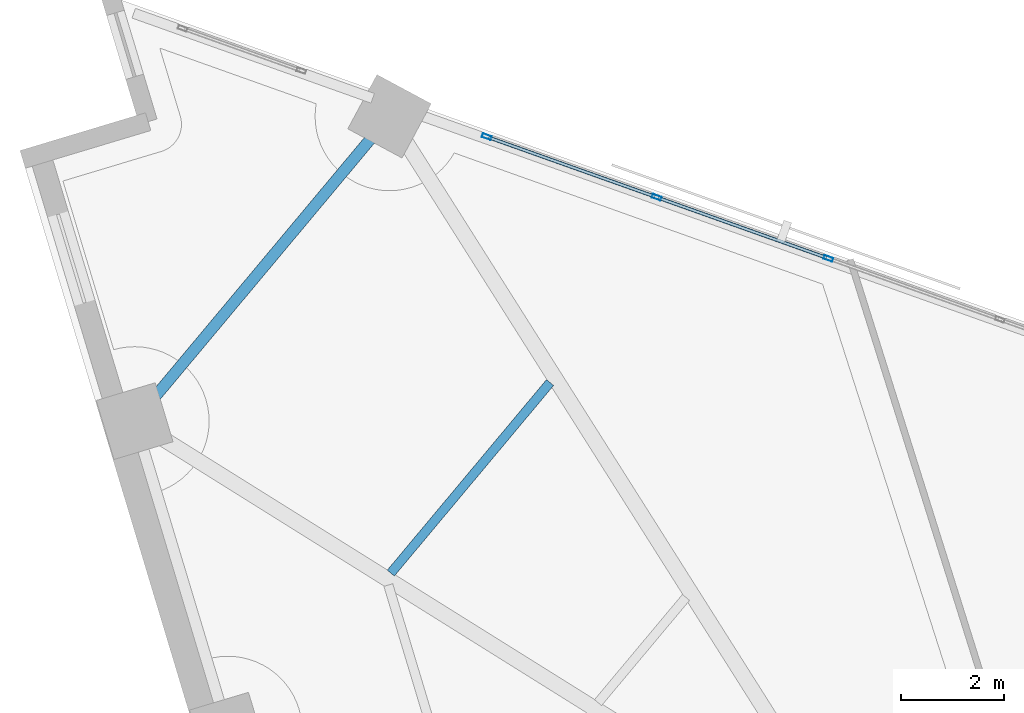
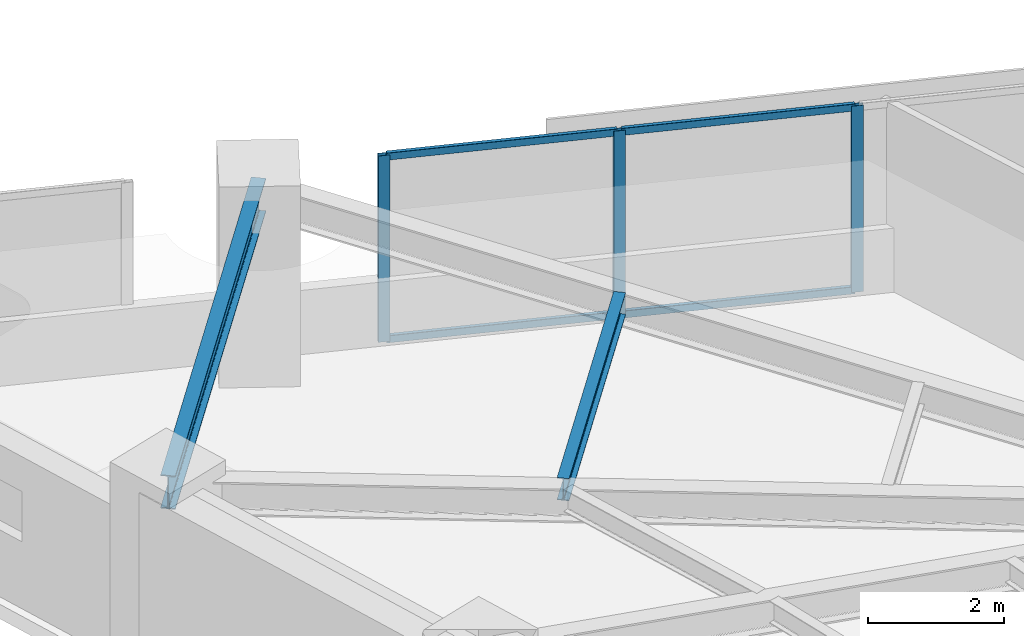
# One storey, part 6 of 16: 7 members, 2 beams, 1 element without a shape of its own.
"""IFC4 building model written with IfcOpenShell, lengths in metres."""

from ifc_helpers import new_model, si_unit, direction, frame, origin, origin_2d, place, context, subcontext, project, spatial, hollow_rectangle, i_section, extrude, material, material_profile, profile_set, type_object, element, aggregate, save


model = new_model("IFC4")

# Units and contexts
model_context = context("Model", 3, precision=1e-05, world=origin(), true_north=direction((0.0, 1.0)))
body_context = subcontext(model_context, "Body", "Model", "MODEL_VIEW")
ifc_project = project(units=[si_unit("LENGTHUNIT", "METRE"), si_unit("AREAUNIT", "SQUARE_METRE"), si_unit("VOLUMEUNIT", "CUBIC_METRE"), si_unit("PLANEANGLEUNIT", "RADIAN"), si_unit("MASSUNIT", "GRAM", prefix="KILO")], contexts=[model_context])

# Site, building, storey
site_placement = place(None, origin())
site = spatial("IfcSite", under=ifc_project, at=site_placement, CompositionType="ELEMENT")
building_placement = place(site_placement, origin())
building = spatial("IfcBuilding", under=site, at=building_placement, Name="Narakoshi Arena Tower", CompositionType="ELEMENT")
storey_placement = place(building_placement, frame((0.0, 0.0, 146.699951171875)))
storey = spatial("IfcBuildingStorey", under=building, at=storey_placement, Name="L39", CompositionType="ELEMENT", Elevation=146.699951171875)

# Beams
ifc_material_1 = material(Name="Structural steel S355J2", Category="steel")
ifc_material_profile_1 = material_profile(ifc_material_1, i_section(OverallWidth=0.219970703125, OverallDepth=0.60009765625, WebThickness=0.011962890625, FlangeThickness=0.01904296875, FilletRadius=0.02392578125, at=origin_2d()), Name="IPE600")
ifc_profile_set_1 = profile_set([ifc_material_profile_1], Name="Structural steel S355J2")
beam_type_1 = type_object("IfcBeamType", Name="BM-EDGE-600", PredefinedType="BEAM", material=ifc_profile_set_1)
beam_1_placement = place(storey_placement, frame((62.545166015625, 71.4501953125, 3.0400390625), z_axis=(-0.641406030011, -0.767201606272, 0.0), x_axis=(0.767201606272, -0.641406030011, 0.0)))
element("IfcBeam", 1, at=beam_1_placement, inside=storey, type_object=beam_type_1, Name="L39 Perimeter Edge Girder 09", PredefinedType="BEAM", context=body_context, shape_type="SweptSolid", body=[
    extrude(i_section(OverallWidth=0.219970703125, OverallDepth=0.60009765625, WebThickness=0.011962890625, FlangeThickness=0.01904296875, FilletRadius=0.02392578125, at=origin_2d()), origin(), (0.0, 0.0, 1.0), 7.73974609375),
])
ifc_material_profile_2 = material_profile(ifc_material_1, i_section(OverallWidth=0.179931640625, OverallDepth=0.39990234375, WebThickness=0.008544921875, FlangeThickness=0.013427734375, FilletRadius=0.02099609375, at=origin_2d()), Name="IPE400")
ifc_profile_set_2 = profile_set([ifc_material_profile_2], Name="Structural steel S355J2")
beam_type_2 = type_object("IfcBeamType", Name="BM-SEC-400", PredefinedType="JOIST", material=ifc_profile_set_2)
beam_2_placement = place(storey_placement, frame((65.673095703125, 66.263671875, 3.14013671875), z_axis=(-0.641350038539, -0.767248413531, 0.0), x_axis=(0.767248413531, -0.641350038539, 0.0)))
element("IfcBeam", 2, at=beam_2_placement, inside=storey, type_object=beam_type_2, Name="L39 Composite Secondary Floor Joist 08", PredefinedType="JOIST", context=body_context, shape_type="SweptSolid", body=[
    extrude(i_section(OverallWidth=0.179931640625, OverallDepth=0.39990234375, WebThickness=0.008544921875, FlangeThickness=0.013427734375, FilletRadius=0.02099609375, at=origin_2d()), origin(), (0.0, 0.0, 1.0), 4.83837890625),
])

# Curtain wall, members
ifc_material_2 = material(Name="Anodised bronze aluminium 6063-T6", Category="aluminium")
curtain_wall_type = type_object("IfcCurtainWallType", Name="CW-HYP-MID", PredefinedType="NOTDEFINED", material=ifc_material_2)
curtain_wall_placement = place(storey_placement, origin())
curtain_wall = element("IfcCurtainWall", 3, at=curtain_wall_placement, inside=storey, type_object=curtain_wall_type, Name="L39 Folded Hypotenuse Curtain Wall 2-1", PredefinedType="NOTDEFINED")
ifc_material_profile_3 = material_profile(ifc_material_2, hollow_rectangle(XDim=0.074951171875, YDim=0.179931640625, WallThickness=0.00390625, OuterFilletRadius=0.0048828125, at=origin_2d()), Name="MUL180x75x4")
ifc_profile_set_3 = profile_set([ifc_material_profile_3], Name="Anodised bronze aluminium 6063-T6")
member_type_1 = type_object("IfcMemberType", Name="MEM-MUL-180", PredefinedType="MULLION", material=ifc_profile_set_3)
member_1_placement = place(storey_placement, frame((71.092529296875, 68.68212890625, 0.0), z_axis=(0.0, 0.0, 1.0), x_axis=(-0.335518297139, -0.94203368957, 0.0)))
member_1 = element("IfcMember", 4, at=member_1_placement, type_object=member_type_1, Name="CW-02 mullion 6", PredefinedType="MULLION", context=body_context, shape_type="SweptSolid", body=[
    extrude(hollow_rectangle(XDim=0.074951171875, YDim=0.179931640625, WallThickness=0.00390625, OuterFilletRadius=0.0048828125, at=origin_2d()), origin(), (0.0, 0.0, 1.0), 3.340087890625),
])
member_2_placement = place(storey_placement, frame((67.748046875, 69.873291015625, 0.0), z_axis=(0.0, 0.0, 1.0), x_axis=(-0.335518297139, -0.94203368957, 0.0)))
member_2 = element("IfcMember", 5, at=member_2_placement, type_object=member_type_1, Name="CW-02 mullion 7", PredefinedType="MULLION", context=body_context, shape_type="SweptSolid", body=[
    extrude(hollow_rectangle(XDim=0.074951171875, YDim=0.179931640625, WallThickness=0.00390625, OuterFilletRadius=0.0048828125, at=origin_2d()), origin(), (0.0, 0.0, 1.0), 3.340087890625),
])
member_3_placement = place(storey_placement, frame((64.438720703125, 71.052001953125, 0.0), z_axis=(0.0, 0.0, 1.0), x_axis=(-0.335518297139, -0.94203368957, 0.0)))
member_3 = element("IfcMember", 6, at=member_3_placement, type_object=member_type_1, Name="CW-02 mullion 8", PredefinedType="MULLION", context=body_context, shape_type="SweptSolid", body=[
    extrude(hollow_rectangle(XDim=0.074951171875, YDim=0.179931640625, WallThickness=0.00390625, OuterFilletRadius=0.0048828125, at=origin_2d()), origin(), (0.0, 0.0, 1.0), 3.340087890625),
])
ifc_material_profile_4 = material_profile(ifc_material_2, hollow_rectangle(XDim=0.06494140625, YDim=0.1298828125, WallThickness=0.00390625, OuterFilletRadius=0.0048828125, at=origin_2d()), Name="TRN130x65x4")
ifc_profile_set_4 = profile_set([ifc_material_profile_4], Name="Anodised bronze aluminium 6063-T6")
member_type_2 = type_object("IfcMemberType", Name="MEM-TRN-130", PredefinedType="USERDEFINED", material=ifc_profile_set_4)
member_4_placement = place(storey_placement, frame((71.05712890625, 68.694580078125, 0.032470703125), z_axis=(-0.942014960696, 0.335570877498, 0.0), x_axis=(-0.335570877498, -0.942014960696, 0.0)))
member_4 = element("IfcMember", 7, at=member_4_placement, type_object=member_type_2, Name="CW-02 transom 6.1", ObjectType="TRANSOM", PredefinedType="USERDEFINED", context=body_context, shape_type="SweptSolid", body=[
    extrude(hollow_rectangle(XDim=0.06494140625, YDim=0.1298828125, WallThickness=0.00390625, OuterFilletRadius=0.0048828125, at=origin_2d()), origin(), (0.0, 0.0, 1.0), 3.475341796875),
])
member_5_placement = place(storey_placement, frame((71.05712890625, 68.694580078125, 3.3076171875), z_axis=(-0.942014960696, 0.335570877498, 0.0), x_axis=(-0.335570877498, -0.942014960696, 0.0)))
member_5 = element("IfcMember", 8, at=member_5_placement, type_object=member_type_2, Name="CW-02 transom 6.2", ObjectType="TRANSOM", PredefinedType="USERDEFINED", context=body_context, shape_type="SweptSolid", body=[
    extrude(hollow_rectangle(XDim=0.06494140625, YDim=0.1298828125, WallThickness=0.00390625, OuterFilletRadius=0.0048828125, at=origin_2d()), origin(), (0.0, 0.0, 1.0), 3.475341796875),
])
member_6_placement = place(storey_placement, frame((67.712646484375, 69.885986328125, 0.032470703125), z_axis=(-0.942045199235, 0.335485979735, 0.0), x_axis=(-0.335485979735, -0.942045199235, 0.0)))
member_6 = element("IfcMember", 9, at=member_6_placement, type_object=member_type_2, Name="CW-02 transom 7.1", ObjectType="TRANSOM", PredefinedType="USERDEFINED", context=body_context, shape_type="SweptSolid", body=[
    extrude(hollow_rectangle(XDim=0.06494140625, YDim=0.1298828125, WallThickness=0.00390625, OuterFilletRadius=0.0048828125, at=origin_2d()), origin(), (0.0, 0.0, 1.0), 3.437744140625),
])
member_7_placement = place(storey_placement, frame((67.712646484375, 69.885986328125, 3.3076171875), z_axis=(-0.942045199235, 0.335485979735, 0.0), x_axis=(-0.335485979735, -0.942045199235, 0.0)))
member_7 = element("IfcMember", 10, at=member_7_placement, type_object=member_type_2, Name="CW-02 transom 7.2", ObjectType="TRANSOM", PredefinedType="USERDEFINED", context=body_context, shape_type="SweptSolid", body=[
    extrude(hollow_rectangle(XDim=0.06494140625, YDim=0.1298828125, WallThickness=0.00390625, OuterFilletRadius=0.0048828125, at=origin_2d()), origin(), (0.0, 0.0, 1.0), 3.437744140625),
])
aggregate(curtain_wall, [member_1, member_2, member_3, member_4, member_5, member_6, member_7])

save(model, "model.ifc")
